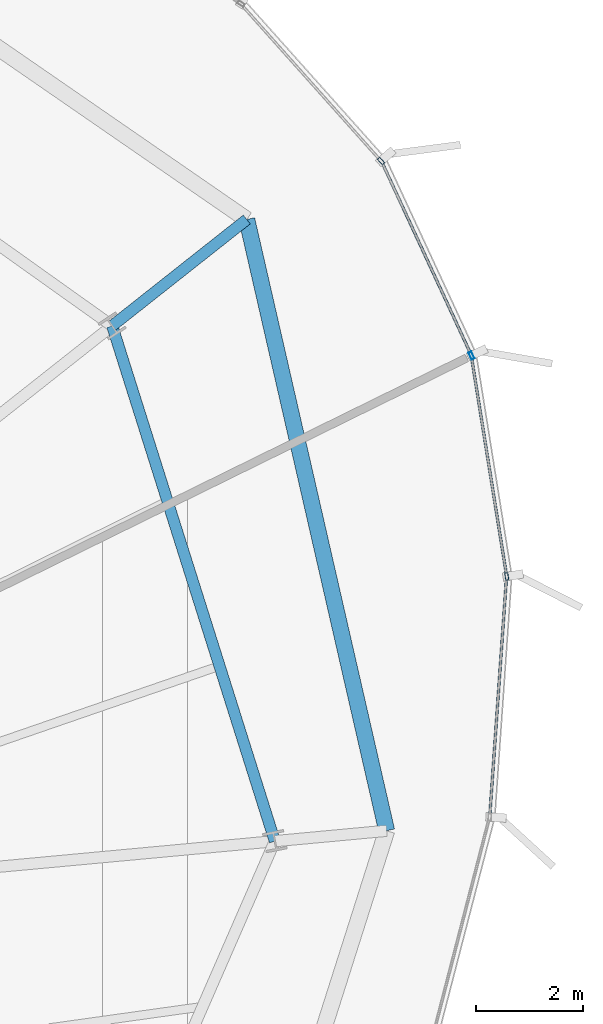
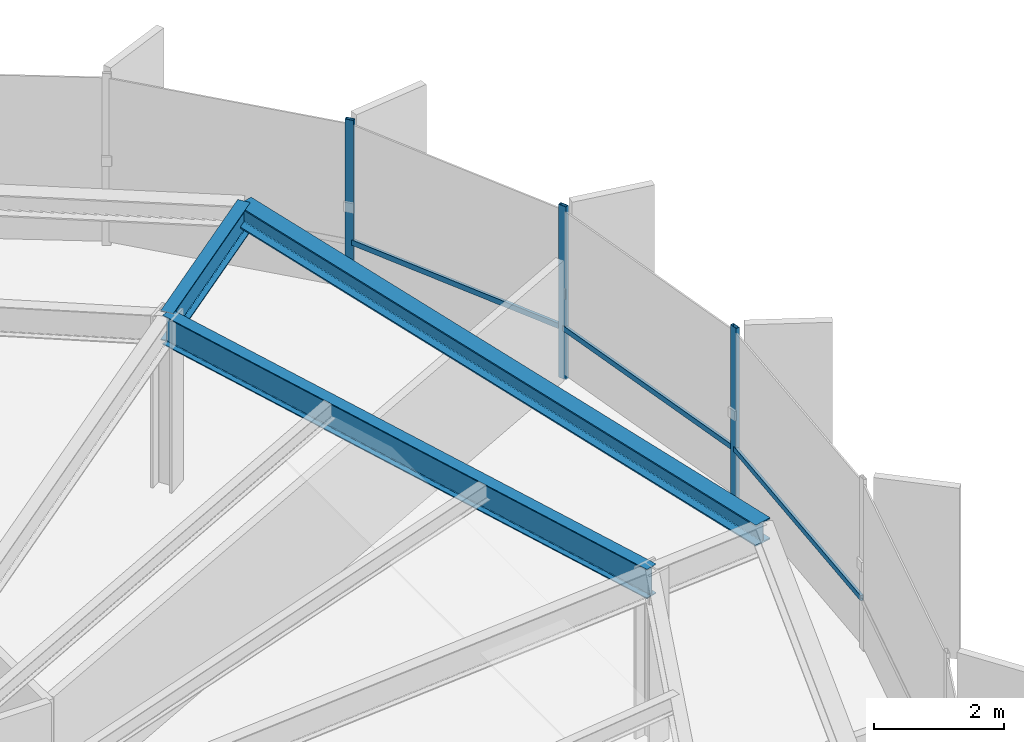
# One storey, part 25 of 35: 6 members, 3 beams, 2 elements without a shape of their own.
"""IFC4 building model written with IfcOpenShell, lengths in metres."""

from ifc_helpers import new_model, si_unit, direction, frame, origin, origin_2d, place, context, subcontext, project, spatial, hollow_rectangle, i_section, extrude, source, transform, mapped, material, layer, layer_set, material_profile, profile_set, type_object, element, aggregate, save


model = new_model("IFC4")

# Units and contexts
model_context = context("Model", 3, precision=1e-05, world=origin(), true_north=direction((0.0, 1.0)))
body_context = subcontext(model_context, "Body", "Model", "MODEL_VIEW")
ifc_project = project(units=[si_unit("LENGTHUNIT", "METRE"), si_unit("AREAUNIT", "SQUARE_METRE"), si_unit("VOLUMEUNIT", "CUBIC_METRE"), si_unit("PLANEANGLEUNIT", "RADIAN"), si_unit("MASSUNIT", "GRAM", prefix="KILO"), si_unit("THERMODYNAMICTEMPERATUREUNIT", "KELVIN")], contexts=[model_context])

# Site, building, storey
site_placement = place(None, origin())
site = spatial("IfcSite", under=ifc_project, at=site_placement, CompositionType="ELEMENT")
building_placement = place(site_placement, origin())
building = spatial("IfcBuilding", under=site, at=building_placement, Name="Kethvar Cultural Tower", CompositionType="ELEMENT")
storey_placement = place(building_placement, frame((0.0, 0.0, 167.85009765625)))
storey = spatial("IfcBuildingStorey", under=building, at=storey_placement, Name="L43", CompositionType="ELEMENT", Elevation=167.85009765625)

# Beams
ifc_material_1 = material(Name="Steel S355J2", Category="steel")
ifc_material_profile_1 = material_profile(ifc_material_1, i_section(OverallWidth=0.2099609375, OverallDepth=0.550048828125, WebThickness=0.010986328125, FlangeThickness=0.01708984375, FilletRadius=0.02392578125, at=origin_2d()), Name="Steel S355J2 — IPE550")
ifc_profile_set_1 = profile_set([ifc_material_profile_1], Name="Steel S355J2 — IPE550")
beam_type_1 = type_object("IfcBeamType", Name="BM-IPE550", PredefinedType="BEAM", material=ifc_profile_set_1)
shared_shape_1 = source(origin(), body_context, "Body", "SweptSolid", [
    extrude(i_section(OverallWidth=0.2099609375, OverallDepth=0.550048828125, WebThickness=0.010986328125, FlangeThickness=0.01708984375, FilletRadius=0.02392578125, at=origin_2d()), origin(), (0.0, 0.0, 1.0), 3.2001953125),
])
beam_1_placement = place(storey_placement, frame((68.568603515625, 42.34521484375, 2.962890625), z_axis=(0.784650322996, 0.619938602301, 0.0), x_axis=(-0.619938602301, 0.784650322996, 0.0)))
element("IfcBeam", 1, at=beam_1_placement, inside=storey, type_object=beam_type_1, Name="L43 Perimeter Cantilever Beam RC-02", PredefinedType="BEAM", context=body_context, shape_type="MappedRepresentation", body=[
    mapped(shared_shape_1, transform((0.0, 0.0, 0.0), scale=1.0)),
])
shared_shape_2 = source(origin(), body_context, "Body", "SweptSolid", [
    extrude(i_section(OverallWidth=0.2099609375, OverallDepth=0.550048828125, WebThickness=0.010986328125, FlangeThickness=0.01708984375, FilletRadius=0.02392578125, at=origin_2d()), origin(), (0.0, 0.0, 1.0), 10.079345703125),
])
beam_2_placement = place(storey_placement, frame((71.6025390625, 32.7333984375, 2.962890625), z_axis=(-0.301007326566, 0.953621827222, 0.0), x_axis=(-0.953621827222, -0.301007326566, 0.0)))
element("IfcBeam", 2, at=beam_2_placement, inside=storey, type_object=beam_type_1, Name="L43 Column Ring Tie Beam CR-01", PredefinedType="BEAM", context=body_context, shape_type="MappedRepresentation", body=[
    mapped(shared_shape_2, transform((0.0, 0.0, 0.0), scale=1.0)),
])
ifc_material_profile_2 = material_profile(ifc_material_1, i_section(OverallWidth=0.300048828125, OverallDepth=0.39990234375, WebThickness=0.013427734375, FlangeThickness=0.02392578125, FilletRadius=0.027099609375, at=origin_2d()), Name="Steel S355J2 — HEB400")
ifc_profile_set_2 = profile_set([ifc_material_profile_2], Name="Steel S355J2 — HEB400")
beam_type_2 = type_object("IfcBeamType", Name="BM-SP400", PredefinedType="SPANDREL", material=ifc_profile_set_2)
shared_shape_3 = source(origin(), body_context, "Body", "SweptSolid", [
    extrude(i_section(OverallWidth=0.300048828125, OverallDepth=0.39990234375, WebThickness=0.013427734375, FlangeThickness=0.02392578125, FilletRadius=0.027099609375, at=origin_2d()), origin(), (0.0, 0.0, 1.0), 11.69677734375),
])
beam_3_placement = place(storey_placement, frame((73.688720703125, 32.927001953125, 3.037841796875), z_axis=(-0.223063394433, 0.97480394032, 0.0), x_axis=(-0.97480394032, -0.223063394433, 0.0)))
element("IfcBeam", 3, at=beam_3_placement, inside=storey, type_object=beam_type_2, Name="L43 Perimeter Spandrel Beam SP-01", PredefinedType="SPANDREL", context=body_context, shape_type="MappedRepresentation", body=[
    mapped(shared_shape_3, transform((0.0, 0.0, 0.0), scale=1.0)),
])

# Curtain wall, members
ifc_material_2 = material(Name="Aluminium 6063-T6", Category="aluminium")
ifc_layer = layer(ifc_material_2, 0.179931640625, Name="Aluminium 6063-T6", Category="aluminium")
ifc_layer_set = layer_set([ifc_layer], Name="Aluminium 6063-T6 (180 mm)")
curtain_wall_type = type_object("IfcCurtainWallType", Name="CW-SYS-04-Z34", PredefinedType="NOTDEFINED", material=ifc_layer_set)
curtain_wall_1_placement = place(storey_placement, origin())
curtain_wall_1 = element("IfcCurtainWall", 4, at=curtain_wall_1_placement, inside=storey, type_object=curtain_wall_type, Name="L43 Curtain Wall Run 06", PredefinedType="NOTDEFINED")
ifc_material_profile_3 = material_profile(ifc_material_2, hollow_rectangle(XDim=0.050048828125, YDim=0.10009765625, WallThickness=0.00390625, at=origin_2d()), Name="Aluminium 6063-T6 — RHS100x50x4")
ifc_profile_set_3 = profile_set([ifc_material_profile_3], Name="Aluminium 6063-T6 — RHS100x50x4")
member_type_1 = type_object("IfcMemberType", Name="CW-SYS-04-Z34-TRN", PredefinedType="USERDEFINED", material=ifc_profile_set_3)
shared_shape_4 = source(origin(), body_context, "Body", "SweptSolid", [
    extrude(hollow_rectangle(XDim=0.050048828125, YDim=0.10009765625, WallThickness=0.00390625, at=origin_2d()), origin(), (0.0, 0.0, 1.0), 4.11572265625),
])
member_1_placement = place(storey_placement, frame((75.9208984375, 37.713134765625, 0.949951171875), z_axis=(-0.158441625299, 0.987368346349, 0.0), x_axis=(-0.987368346349, -0.158441625299, 0.0)))
member_1 = element("IfcMember", 5, at=member_1_placement, type_object=member_type_1, Name="CW-L43-R06 Transom 5", ObjectType="TRANSOM", PredefinedType="USERDEFINED", context=body_context, shape_type="MappedRepresentation", body=[
    mapped(shared_shape_4, transform((0.0, 0.0, 0.0), scale=1.0)),
])
shared_shape_5 = source(origin(), body_context, "Body", "SweptSolid", [
    extrude(hollow_rectangle(XDim=0.050048828125, YDim=0.10009765625, WallThickness=0.00390625, at=origin_2d()), origin(), (0.0, 0.0, 1.0), 3.910400390625),
])
member_2_placement = place(storey_placement, frame((75.25244140625, 41.830078125, 0.949951171875), z_axis=(-0.42029303199, 0.907388432404, 0.0), x_axis=(-0.907388432404, -0.42029303199, 0.0)))
member_2 = element("IfcMember", 6, at=member_2_placement, type_object=member_type_1, Name="CW-L43-R06 Transom 6", ObjectType="TRANSOM", PredefinedType="USERDEFINED", context=body_context, shape_type="MappedRepresentation", body=[
    mapped(shared_shape_5, transform((0.0, 0.0, 0.0), scale=1.0)),
])

# Curtain wall, member
curtain_wall_2_placement = place(storey_placement, origin())
curtain_wall_2 = element("IfcCurtainWall", 7, at=curtain_wall_2_placement, inside=storey, type_object=curtain_wall_type, Name="L43 Curtain Wall Run 01", PredefinedType="NOTDEFINED")
ifc_material_profile_4 = material_profile(ifc_material_2, hollow_rectangle(XDim=0.06005859375, YDim=0.139892578125, WallThickness=0.0048828125, at=origin_2d()), Name="Aluminium 6063-T6 — RHS140x60x5")
ifc_profile_set_4 = profile_set([ifc_material_profile_4], Name="Aluminium 6063-T6 — RHS140x60x5")
member_type_2 = type_object("IfcMemberType", Name="CW-SYS-04-Z34-MUL", PredefinedType="MULLION", material=ifc_profile_set_4)
shared_shape_6 = source(origin(), body_context, "Body", "SweptSolid", [
    extrude(hollow_rectangle(XDim=0.06005859375, YDim=0.139892578125, WallThickness=0.0048828125, at=origin_2d()), origin(), (0.0, 0.0, 1.0), 3.239990234375),
])
member_3_placement = place(storey_placement, frame((73.58251953125, 45.419677734375, 0.0), z_axis=(0.0, 0.0, 1.0), x_axis=(-0.746092239522, -0.665842601615, 0.0)))
member_3 = element("IfcMember", 8, at=member_3_placement, type_object=member_type_2, Name="CW-L43-R01 Mullion 1", PredefinedType="MULLION", context=body_context, shape_type="MappedRepresentation", body=[
    mapped(shared_shape_6, transform((0.0, 0.0, 0.0), scale=1.0)),
])
aggregate(curtain_wall_2, [member_3])

# Member
member_4_placement = place(storey_placement, frame((75.927734375, 37.67041015625, 0.0), z_axis=(0.0, 0.0, 1.0), x_axis=(-0.987369602187, -0.158433799036, 0.0)))
member_4 = element("IfcMember", 9, at=member_4_placement, type_object=member_type_2, Name="CW-L43-R06 Mullion 5", PredefinedType="MULLION", context=body_context, shape_type="MappedRepresentation", body=[
    mapped(shared_shape_6, transform((0.0, 0.0, 0.0), scale=1.0)),
])

member_5_placement = place(storey_placement, frame((75.270751953125, 41.790771484375, 0.0), z_axis=(0.0, 0.0, 1.0), x_axis=(-0.907389086755, -0.420291619282, 0.0)))
member_5 = element("IfcMember", 10, at=member_5_placement, type_object=member_type_2, Name="CW-L43-R06 Mullion 6", PredefinedType="MULLION", context=body_context, shape_type="MappedRepresentation", body=[
    mapped(shared_shape_6, transform((0.0, 0.0, 0.0), scale=1.0)),
])

shared_shape_7 = source(origin(), body_context, "Body", "SweptSolid", [
    extrude(hollow_rectangle(XDim=0.050048828125, YDim=0.10009765625, WallThickness=0.00390625, at=origin_2d()), origin(), (0.0, 0.0, 1.0), 4.436279296875),
])
member_6_placement = place(storey_placement, frame((75.61328125, 33.227294921875, 0.949951171875), z_axis=(0.06994851683, 0.997550602723, 0.0), x_axis=(-0.997550602723, 0.06994851683, 0.0)))
member_6 = element("IfcMember", 11, at=member_6_placement, type_object=member_type_1, Name="CW-L43-R06 Transom 4", ObjectType="TRANSOM", PredefinedType="USERDEFINED", context=body_context, shape_type="MappedRepresentation", body=[
    mapped(shared_shape_7, transform((0.0, 0.0, 0.0), scale=1.0)),
])

aggregate(curtain_wall_1, [member_4, member_5, member_6, member_1, member_2])

save(model, "model.ifc")
